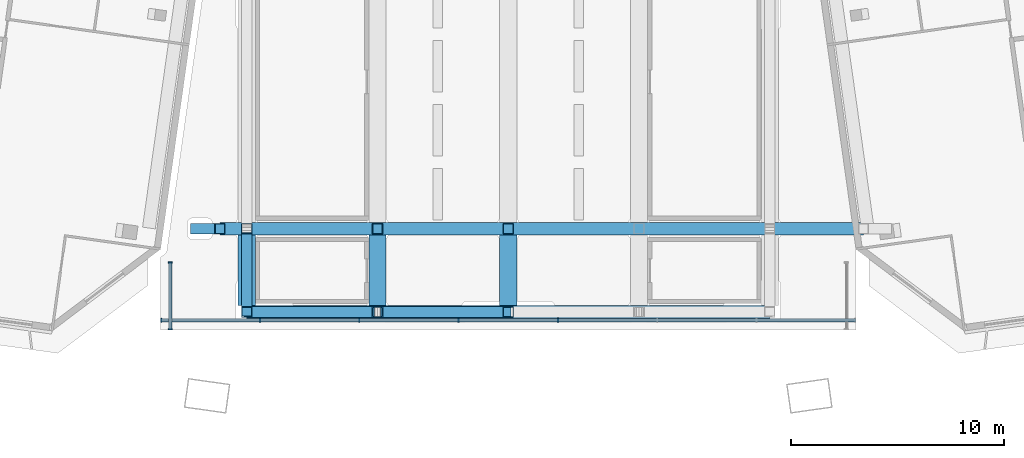
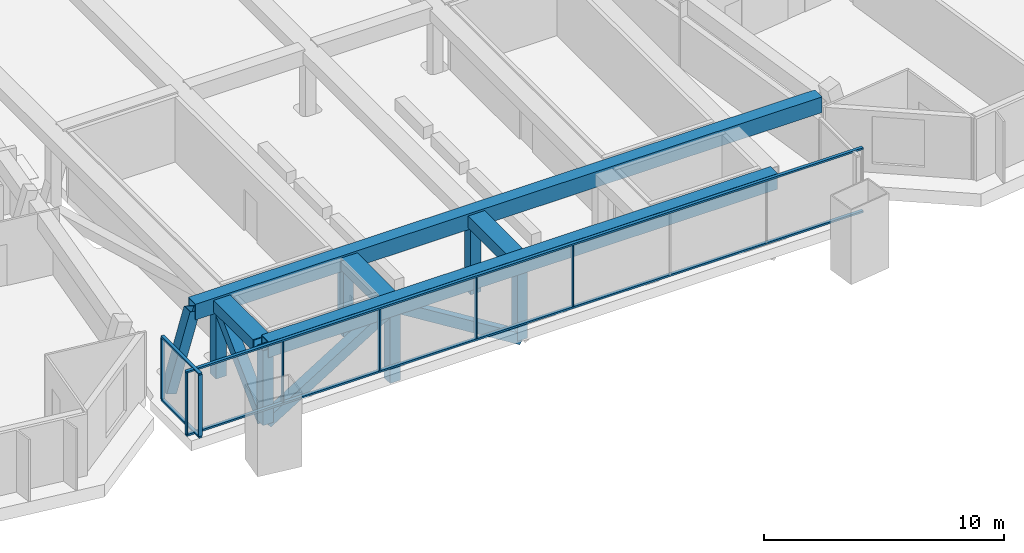
# One storey, part 3 of 25: 26 members, 2 elements without a shape of their own.
"""IFC4 building model written with IfcOpenShell, lengths in metres."""

import ifcopenshell
import ifcopenshell.guid

model = None  # the IFC model being written
_history = None  # IfcOwnerHistory: only IFC2X3 demands one
_inside = {}  # id of a spatial element -> (the spatial element, [elements in it])
_under = {}  # id of a project, library or spatial element -> (it, [spatial elements below it])
_declared = {}  # id of a project -> (the project, [libraries it declares])
_typed = {}  # id of a type object -> (the type object, [elements of that type])
_made_of = {}  # id of a material, layer set ... -> (it, [elements and type objects made of it])


def new_model(schema):
    """Start an empty IFC model of exactly this schema.

    Asked for "IFC4X3", IfcOpenShell would pick the latest addendum, in which some entities
    have other attributes; the version numbers below select the first issue.
    IFC2X3 requires an IfcOwnerHistory on every rooted entity: one is made here for all.
    """
    global model, _history
    if schema == "IFC4X3":
        model = ifcopenshell.file(schema_version=(4, 3, 0, 0))
    else:
        model = ifcopenshell.file(schema=schema)
    _inside.clear()
    _under.clear()
    _declared.clear()
    _typed.clear()
    _made_of.clear()
    _history = None
    if model.schema == "IFC2X3":
        org = make("IfcOrganization", Name="unknown")
        user = make(
            "IfcPersonAndOrganization",
            ThePerson=make("IfcPerson", FamilyName="unknown"),
            TheOrganization=org,
        )
        app = make(
            "IfcApplication",
            ApplicationDeveloper=org,
            Version="unknown",
            ApplicationFullName="unknown",
            ApplicationIdentifier="unknown",
        )
        _history = make(
            "IfcOwnerHistory",
            OwningUser=user,
            OwningApplication=app,
            ChangeAction="ADDED",
            CreationDate=0,
        )
    return model


def make(cls, **values):
    """One entity of the class cls with the attributes given. An attribute that is None is left unset."""
    return model.create_entity(
        cls, **{name: value for name, value in values.items() if value is not None}
    )


def rooted(cls, **values):
    """An entity with a GlobalId (a new one), such as an element, a storey or a relation."""
    return make(cls, GlobalId=ifcopenshell.guid.new(), OwnerHistory=_history, **values)


def si_unit(unit_type, name, prefix=None):
    """IfcSIUnit, for example si_unit("LENGTHUNIT", "METRE", prefix="MILLI")."""
    return make("IfcSIUnit", UnitType=unit_type, Prefix=prefix, Name=name)


def assignment(units):
    """IfcUnitAssignment: the units of a project."""
    return None if units is None else make("IfcUnitAssignment", Units=units)


def point(xyz):
    """IfcCartesianPoint."""
    return None if xyz is None else make("IfcCartesianPoint", Coordinates=xyz)


def direction(xyz):
    """IfcDirection."""
    return None if xyz is None else make("IfcDirection", DirectionRatios=xyz)


def frame(location, z_axis=None, x_axis=None):
    """IfcAxis2Placement3D, a coordinate frame: its origin and axes. An axis left out is left unset."""
    return make(
        "IfcAxis2Placement3D",
        Location=point(location),
        Axis=direction(z_axis),
        RefDirection=direction(x_axis),
    )


def frame_2d(location, x_axis=None):
    """IfcAxis2Placement2D, a coordinate frame in the plane: its origin and x axis."""
    return make(
        "IfcAxis2Placement2D", Location=point(location), RefDirection=direction(x_axis)
    )


def origin():
    """The frame at (0, 0, 0) with its axes left unset."""
    return frame((0.0, 0.0, 0.0))


def origin_2d():
    """The frame at (0, 0) in the plane with its x axis left unset."""
    return frame_2d((0.0, 0.0))


def place(relative_to, where):
    """IfcLocalPlacement: puts the frame where relative to a parent placement (None: the world)."""
    return make(
        "IfcLocalPlacement", PlacementRelTo=relative_to, RelativePlacement=where
    )


def context(
    kind, dimensions, precision=None, world=None, true_north=None, identifier=None
):
    """IfcGeometricRepresentationContext, for example the 3D "Model" context."""
    return make(
        "IfcGeometricRepresentationContext",
        ContextIdentifier=identifier,
        ContextType=kind,
        CoordinateSpaceDimension=dimensions,
        Precision=precision,
        WorldCoordinateSystem=world,
        TrueNorth=true_north,
    )


def subcontext(parent, identifier, kind, view, scale=None):
    """IfcGeometricRepresentationSubContext, for example "Body" below "Model"."""
    return make(
        "IfcGeometricRepresentationSubContext",
        ContextIdentifier=identifier,
        ContextType=kind,
        ParentContext=parent,
        TargetScale=scale,
        TargetView=view,
    )


def project(units=None, contexts=None):
    """IfcProject with its units and contexts."""
    return rooted(
        "IfcProject",
        Name="project",
        RepresentationContexts=contexts,
        UnitsInContext=assignment(units),
    )


def spatial(cls, under=None, at=None, **own):
    """A site, building, storey or space (cls), placed at a placement, below another one or the project."""
    s = rooted(cls, ObjectPlacement=at, **own)
    if under is not None:
        _under.setdefault(under.id(), (under, []))[1].append(s)
    return s


def profile(cls, at=None, kind="AREA", **sizes):
    """A parametric profile (cls). Its sizes go by their IFC names, for example OverallWidth=200.0."""
    return make(cls, ProfileType=kind, Position=at, **sizes)


def rectangle(**sizes):
    """IfcRectangleProfileDef."""
    return profile("IfcRectangleProfileDef", **sizes)


def hollow_rectangle(**sizes):
    """IfcRectangleHollowProfileDef."""
    return profile("IfcRectangleHollowProfileDef", **sizes)


def extrude(swept, where, along, depth):
    """IfcExtrudedAreaSolid: the profile swept, set in the frame where, extruded along a direction by depth."""
    return make(
        "IfcExtrudedAreaSolid",
        SweptArea=swept,
        Position=where,
        ExtrudedDirection=direction(along),
        Depth=depth,
    )


def shape(context_of_items, identifier, shape_type, items):
    """IfcShapeRepresentation: the items that make up one representation, for example the "Body"."""
    return make(
        "IfcShapeRepresentation",
        ContextOfItems=context_of_items,
        RepresentationIdentifier=identifier,
        RepresentationType=shape_type,
        Items=items,
    )


def material(Name=None, Category=None):
    """IfcMaterial."""
    return make("IfcMaterial", Name=Name, Category=Category)


def material_profile(
    of_material, cross_section, Name=None, Category=None, Priority=None
):
    """IfcMaterialProfile: a cross section and its material."""
    return make(
        "IfcMaterialProfile",
        Name=Name,
        Material=of_material,
        Profile=cross_section,
        Priority=Priority,
        Category=Category,
    )


def profile_set(profiles, Name=None, composite=None):
    """IfcMaterialProfileSet."""
    return make(
        "IfcMaterialProfileSet",
        Name=Name,
        MaterialProfiles=profiles,
        CompositeProfile=composite,
    )


def made_of(thing, what):
    """Note that an element or type object is made of a material, layer set ...; save() writes the relation."""
    if what is not None:
        _made_of.setdefault(what.id(), (what, []))[1].append(thing)
    return thing


def type_object(cls, material=None, **own):
    """A type object (cls), such as IfcWallType, which elements share."""
    return made_of(rooted(cls, **own), material)


def element(
    cls,
    number,
    at=None,
    inside=None,
    cuts=None,
    type_object=None,
    material=None,
    context=None,
    identifier="Body",
    shape_type=None,
    held_by="IfcProductDefinitionShape",
    body=None,
    shapes=None,
    **own,
):
    """One element of the class cls, such as IfcWall. Its Tag is "e" and its number.

    at: its placement. inside: the storey or other place that contains it. cuts: it is an
    opening in that element (IfcRelVoidsElement). A single representation is given by context,
    identifier, shape_type and body (its items); several are given by shapes. held_by: the class
    of the entity that holds the representations. save() writes the other relations.
    """
    e = rooted(cls, Tag="e%d" % number, ObjectPlacement=at, **own)
    if body is not None:
        shapes = [shape(context, identifier, shape_type, body)]
    if shapes is not None:
        e.Representation = make(held_by, Representations=shapes)
    if inside is not None:
        _inside.setdefault(inside.id(), (inside, []))[1].append(e)
    if cuts is not None:
        rooted(
            "IfcRelVoidsElement", RelatingBuildingElement=cuts, RelatedOpeningElement=e
        )
    if type_object is not None:
        _typed.setdefault(type_object.id(), (type_object, []))[1].append(e)
    return made_of(e, material)


def aggregate(whole, parts):
    """IfcRelAggregates: a whole, such as a stair, and the parts it consists of."""
    return rooted("IfcRelAggregates", RelatingObject=whole, RelatedObjects=parts)


def save(model, path):
    """Write the relations noted so far, then the file.

    IfcRelAggregates (storeys below a building ...), IfcRelContainedInSpatialStructure (elements
    in a storey), IfcRelDefinesByType, IfcRelAssociatesMaterial and IfcRelDeclares: one each for
    every whole, place, type object, material and project.
    """
    for whole, parts in _under.values():
        aggregate(whole, parts)
    for where, things in _inside.values():
        rooted(
            "IfcRelContainedInSpatialStructure",
            RelatedElements=things,
            RelatingStructure=where,
        )
    for kind, things in _typed.values():
        rooted("IfcRelDefinesByType", RelatedObjects=things, RelatingType=kind)
    for what, things in _made_of.values():
        rooted("IfcRelAssociatesMaterial", RelatedObjects=things, RelatingMaterial=what)
    for by, libraries in _declared.values():
        rooted("IfcRelDeclares", RelatingContext=by, RelatedDefinitions=libraries)
    model.write(path)


model = new_model("IFC4")

# Units and contexts
model_context = context("Model", 3, precision=1e-05, world=origin(), true_north=direction((0.0, 1.0)))
body_context = subcontext(model_context, "Body", "Model", "MODEL_VIEW")
ifc_project = project(units=[si_unit("LENGTHUNIT", "METRE"), si_unit("AREAUNIT", "SQUARE_METRE"), si_unit("VOLUMEUNIT", "CUBIC_METRE"), si_unit("PLANEANGLEUNIT", "RADIAN"), si_unit("MASSUNIT", "GRAM", prefix="KILO")], contexts=[model_context])

# Site, building, storey
site_placement = place(None, origin())
site = spatial("IfcSite", under=ifc_project, at=site_placement, CompositionType="ELEMENT")
building_placement = place(site_placement, origin())
building = spatial("IfcBuilding", under=site, at=building_placement, Name="Mirante Cascada Hotel Towers", CompositionType="ELEMENT")
storey_placement = place(building_placement, frame((0.0, 0.0, 266.0)))
storey = spatial("IfcBuildingStorey", under=building, at=storey_placement, Name="L64", CompositionType="ELEMENT", Elevation=266.0)

# Members
ifc_material_1 = material(Name="Steel ASTM A572 Gr 50", Category="steel")
ifc_material_profile_1 = material_profile(ifc_material_1, hollow_rectangle(XDim=0.6, YDim=0.8, WallThickness=0.04, at=origin_2d()), Name="Box chord 800x600x40 ASTM A572 Gr 50")
ifc_profile_set_1 = profile_set([ifc_material_profile_1], Name="Steel ASTM A572 Gr 50")
member_type_1 = type_object("IfcMemberType", Name="Box chord 800x600x40 ASTM A572 Gr 50", PredefinedType="CHORD", material=ifc_profile_set_1)
for number, where, z_axis, x_axis, name in (
    (1, (-12.2514, -21.2153, 2.9), (0.0, 1.0, 0.0), (0.0, 0.0, 1.0), "dchord sky park Roof garden 1"),
    (2, (-6.1257, -21.2153, 2.9), (0.0, 1.0, 0.0), (0.0, 0.0, 1.0), "dchord sky park Roof garden 5"),
    (3, (0.0, -21.2153, 2.9), (0.0, 1.0, 0.0), (0.0, 0.0, 1.0), "dchord sky park Roof garden 9"),
):
    element("IfcMember", number, at=place(storey_placement, frame(where, z_axis=z_axis, x_axis=x_axis)), inside=storey, type_object=member_type_1, Name=name, PredefinedType="CHORD", context=body_context, shape_type="SweptSolid", body=[
        extrude(hollow_rectangle(XDim=0.6, YDim=0.8, WallThickness=0.04, at=origin_2d()), origin(), (0.0, 0.0, 1.0), 3.3),
    ])
member_1_placement = place(storey_placement, frame((-13.5128, -17.6153, 2.9), z_axis=(1.0, 0.0, 0.0), x_axis=(0.0, 1.0, 0.0)))
element("IfcMember", 4, at=member_1_placement, inside=storey, type_object=member_type_1, Name="dchord sky park Roof garden 21", PredefinedType="CHORD", context=body_context, shape_type="SweptSolid", body=[
    extrude(hollow_rectangle(XDim=0.6, YDim=0.8, WallThickness=0.04, at=origin_2d()), origin(), (0.0, 0.0, 1.0), 30.15),
])
member_2_placement = place(storey_placement, frame((-12.2514, -21.5153, 2.9), z_axis=(1.0, 0.0, 0.0), x_axis=(0.0, 1.0, 0.0)))
element("IfcMember", 5, at=member_2_placement, inside=storey, type_object=member_type_1, Name="dchord sky park Roof garden 28", PredefinedType="CHORD", context=body_context, shape_type="SweptSolid", body=[
    extrude(hollow_rectangle(XDim=0.6, YDim=0.8, WallThickness=0.04, at=origin_2d()), origin(), (0.0, 0.0, 1.0), 24.5028),
])
ifc_material_2 = material(Name="Steel ASTM A572 Gr 50", Category="steel")
ifc_material_profile_2 = material_profile(ifc_material_2, hollow_rectangle(XDim=0.5, YDim=0.5, WallThickness=0.03, at=origin_2d()), Name="Box diagonal 500x500x30 ASTM A572 Gr 50")
ifc_profile_set_2 = profile_set([ifc_material_profile_2], Name="Steel ASTM A572 Gr 50")
member_type_2 = type_object("IfcMemberType", Name="Box diagonal 500x500x30 ASTM A572 Gr 50", PredefinedType="BRACE", material=ifc_profile_set_2)
member_3_placement = place(storey_placement, frame((-12.2514, -21.5153, -0.9), z_axis=(0.0, 0.7162296, 0.6978647), x_axis=(-1.0, 0.0, 0.0)))
element("IfcMember", 6, at=member_3_placement, inside=storey, type_object=member_type_2, Name="ddiag sky park L64 1", PredefinedType="BRACE", context=body_context, shape_type="SweptSolid", body=[
    extrude(hollow_rectangle(XDim=0.5, YDim=0.5, WallThickness=0.03, at=origin_2d()), origin(), (0.0, 0.0, 1.0), 5.4452),
])
for number, where, z_axis, x_axis, name in (
    (7, (-12.2514, -21.5153, -0.9), (0.8497743, 0.0, 0.5271467), (0.0, 1.0, 0.0), "ddiag sky park L64 15"),
    (8, (0.0, -21.5153, -0.9), (-0.8497743, 0.0, 0.5271467), (0.0, -1.0, 0.0), "ddiag sky park L64 16"),
):
    element("IfcMember", number, at=place(storey_placement, frame(where, z_axis=z_axis, x_axis=x_axis)), inside=storey, type_object=member_type_2, Name=name, PredefinedType="BRACE", context=body_context, shape_type="SweptSolid", body=[
        extrude(hollow_rectangle(XDim=0.5, YDim=0.5, WallThickness=0.03, at=origin_2d()), origin(), (0.0, 0.0, 1.0), 7.2086),
    ])
ifc_material_3 = material(Name="Steel ASTM A572 Gr 50", Category="steel")
ifc_material_profile_3 = material_profile(ifc_material_3, hollow_rectangle(XDim=0.5, YDim=0.5, WallThickness=0.03, at=origin_2d()), Name="Box post 500x500x30 ASTM A572 Gr 50")
ifc_profile_set_3 = profile_set([ifc_material_profile_3], Name="Steel ASTM A572 Gr 50")
member_type_3 = type_object("IfcMemberType", Name="Box post 500x500x30 ASTM A572 Gr 50", PredefinedType="POST", material=ifc_profile_set_3)
for number, where, z_axis, x_axis, name in (
    (9, (-12.2514, -21.5153, -0.9), (0.0, 0.0, 1.0), (1.0, 0.0, 0.0), "dpost sky park L64 1"),
    (10, (-12.2514, -17.6153, -0.9), (0.0, 0.0, 1.0), (1.0, 0.0, 0.0), "dpost sky park L64 2"),
    (11, (-6.1257, -21.5153, -0.9), (0.0, 0.0, 1.0), (1.0, 0.0, 0.0), "dpost sky park L64 8"),
    (12, (-6.1257, -17.6153, -0.9), (0.0, 0.0, 1.0), (1.0, 0.0, 0.0), "dpost sky park L64 9"),
    (13, (0.0, -21.5153, -0.9), (0.0, 0.0, 1.0), (1.0, 0.0, 0.0), "dpost sky park L64 15"),
    (14, (0.0, -17.6153, -0.9), (0.0, 0.0, 1.0), (1.0, 0.0, 0.0), "dpost sky park L64 16"),
):
    element("IfcMember", number, at=place(storey_placement, frame(where, z_axis=z_axis, x_axis=x_axis)), inside=storey, type_object=member_type_3, Name=name, PredefinedType="POST", context=body_context, shape_type="SweptSolid", body=[
        extrude(hollow_rectangle(XDim=0.5, YDim=0.5, WallThickness=0.03, at=origin_2d()), origin(), (0.0, 0.0, 1.0), 3.8),
    ])
member_4_placement = place(storey_placement, frame((-14.6385, -17.6153, -0.9), z_axis=(0.2840359, 0.0, 0.9588136), x_axis=(0.0, 1.0, 0.0)))
element("IfcMember", 15, at=member_4_placement, inside=storey, type_object=member_type_3, Name="dpost sky park L64 36", PredefinedType="POST", context=body_context, shape_type="SweptSolid", body=[
    extrude(hollow_rectangle(XDim=0.5, YDim=0.5, WallThickness=0.03, at=origin_2d()), origin(), (0.0, 0.0, 1.0), 3.9632),
])

# Curtain wall, members
ifc_material_4 = material(Name="Aluminium mullion and transom frame with clear laminated glass", Category="aluminium")
curtain_wall_type = type_object("IfcCurtainWallType", Name="Sky park deck curtain wall ECW5", PredefinedType="NOTDEFINED", material=ifc_material_4)
curtain_wall_1_placement = place(storey_placement, origin())
curtain_wall_1 = element("IfcCurtainWall", 16, at=curtain_wall_1_placement, inside=storey, type_object=curtain_wall_type, Name="Sky park glazing L64 run 1", PredefinedType="NOTDEFINED")
ifc_material_5 = material(Name="Anodised aluminium extrusion", Category="aluminium")
ifc_material_profile_4 = material_profile(ifc_material_5, rectangle(XDim=0.18, YDim=0.06, at=origin_2d()), Name="ECW5 MULLION 60x180")
ifc_profile_set_4 = profile_set([ifc_material_profile_4], Name="Anodised aluminium extrusion")
member_type_4 = type_object("IfcMemberType", Name="ECW5 mullion 60x180", PredefinedType="MULLION", material=ifc_profile_set_4)
member_5_placement = place(storey_placement, frame((-16.2574, -21.9019, 0.09), z_axis=(0.0, 0.0, 1.0), x_axis=(0.0, 1.0, 0.0)))
member_5 = element("IfcMember", 17, at=member_5_placement, type_object=member_type_4, Name="ECW5 mullion 1", PredefinedType="MULLION", context=body_context, shape_type="SweptSolid", body=[
    extrude(rectangle(XDim=0.18, YDim=0.06, at=origin_2d()), origin(), (0.0, 0.0, 1.0), 3.12),
])
member_6_placement = place(storey_placement, frame((-11.6338, -21.9019, 0.09), z_axis=(0.0, 0.0, 1.0), x_axis=(0.0, 1.0, 0.0)))
member_6 = element("IfcMember", 18, at=member_6_placement, type_object=member_type_4, Name="ECW5 mullion 2", PredefinedType="MULLION", context=body_context, shape_type="SweptSolid", body=[
    extrude(rectangle(XDim=0.18, YDim=0.06, at=origin_2d()), origin(), (0.0, 0.0, 1.0), 3.12),
])
member_7_placement = place(storey_placement, frame((-6.9803, -21.9019, 0.09), z_axis=(0.0, 0.0, 1.0), x_axis=(0.0, 1.0, 0.0)))
member_7 = element("IfcMember", 19, at=member_7_placement, type_object=member_type_4, Name="ECW5 mullion 3", PredefinedType="MULLION", context=body_context, shape_type="SweptSolid", body=[
    extrude(rectangle(XDim=0.18, YDim=0.06, at=origin_2d()), origin(), (0.0, 0.0, 1.0), 3.12),
])
member_8_placement = place(storey_placement, frame((-2.3268, -21.9019, 0.09), z_axis=(0.0, 0.0, 1.0), x_axis=(0.0, 1.0, 0.0)))
member_8 = element("IfcMember", 20, at=member_8_placement, type_object=member_type_4, Name="ECW5 mullion 4", PredefinedType="MULLION", context=body_context, shape_type="SweptSolid", body=[
    extrude(rectangle(XDim=0.18, YDim=0.06, at=origin_2d()), origin(), (0.0, 0.0, 1.0), 3.12),
])
member_9_placement = place(storey_placement, frame((2.3268, -21.9019, 0.09), z_axis=(0.0, 0.0, 1.0), x_axis=(0.0, 1.0, 0.0)))
member_9 = element("IfcMember", 21, at=member_9_placement, type_object=member_type_4, Name="ECW5 mullion 5", PredefinedType="MULLION", context=body_context, shape_type="SweptSolid", body=[
    extrude(rectangle(XDim=0.18, YDim=0.06, at=origin_2d()), origin(), (0.0, 0.0, 1.0), 3.12),
])

curtain_wall_2_placement = place(storey_placement, origin())
curtain_wall_2 = element("IfcCurtainWall", 22, at=curtain_wall_2_placement, inside=storey, type_object=curtain_wall_type, Name="Sky park glazing L64 run 6", PredefinedType="NOTDEFINED")
member_10_placement = place(storey_placement, frame((-15.8374, -19.1997, 0.09), z_axis=(0.0, 0.0, 1.0), x_axis=(1.0, 0.0, 0.0)))
member_10 = element("IfcMember", 23, at=member_10_placement, type_object=member_type_4, Name="ECW5 mullion 1", PredefinedType="MULLION", context=body_context, shape_type="SweptSolid", body=[
    extrude(rectangle(XDim=0.18, YDim=0.06, at=origin_2d()), origin(), (0.0, 0.0, 1.0), 3.12),
])
member_11_placement = place(storey_placement, frame((-15.8374, -22.3219, 0.09), z_axis=(0.0, 0.0, 1.0), x_axis=(1.0, 0.0, 0.0)))
member_11 = element("IfcMember", 24, at=member_11_placement, type_object=member_type_4, Name="ECW5 mullion 2", PredefinedType="MULLION", context=body_context, shape_type="SweptSolid", body=[
    extrude(rectangle(XDim=0.18, YDim=0.06, at=origin_2d()), origin(), (0.0, 0.0, 1.0), 3.12),
])

# Member
ifc_material_6 = material(Name="Anodised aluminium extrusion", Category="aluminium")
ifc_material_profile_5 = material_profile(ifc_material_6, rectangle(XDim=0.15, YDim=0.09, at=origin_2d()), Name="ECW5 TRANSOM 90x150")
ifc_profile_set_5 = profile_set([ifc_material_profile_5], Name="Anodised aluminium extrusion")
member_type_5 = type_object("IfcMemberType", Name="ECW5 transom 90x150", PredefinedType="USERDEFINED", material=ifc_profile_set_5)
member_12_placement = place(storey_placement, frame((-16.2874, -21.9019, 0.045), z_axis=(1.0, 0.0, 0.0), x_axis=(0.0, 1.0, 0.0)))
member_12 = element("IfcMember", 25, at=member_12_placement, type_object=member_type_5, Name="ECW5 sill transom", ObjectType="TRANSOM", PredefinedType="USERDEFINED", context=body_context, shape_type="SweptSolid", body=[
    extrude(rectangle(XDim=0.15, YDim=0.09, at=origin_2d()), origin(), (0.0, 0.0, 1.0), 32.5748),
])

member_13_placement = place(storey_placement, frame((-16.2874, -21.9019, 3.255), z_axis=(1.0, 0.0, 0.0), x_axis=(0.0, 1.0, 0.0)))
member_13 = element("IfcMember", 26, at=member_13_placement, type_object=member_type_5, Name="ECW5 head transom", ObjectType="TRANSOM", PredefinedType="USERDEFINED", context=body_context, shape_type="SweptSolid", body=[
    extrude(rectangle(XDim=0.15, YDim=0.09, at=origin_2d()), origin(), (0.0, 0.0, 1.0), 32.5748),
])

aggregate(curtain_wall_1, [member_12, member_13, member_5, member_6, member_7, member_8, member_9])

member_14_placement = place(storey_placement, frame((-15.8374, -19.1697, 0.045), z_axis=(0.0, -1.0, 0.0), x_axis=(1.0, 0.0, 0.0)))
member_14 = element("IfcMember", 27, at=member_14_placement, type_object=member_type_5, Name="ECW5 sill transom", ObjectType="TRANSOM", PredefinedType="USERDEFINED", context=body_context, shape_type="SweptSolid", body=[
    extrude(rectangle(XDim=0.15, YDim=0.09, at=origin_2d()), origin(), (0.0, 0.0, 1.0), 3.1822),
])

member_15_placement = place(storey_placement, frame((-15.8374, -19.1697, 3.255), z_axis=(0.0, -1.0, 0.0), x_axis=(1.0, 0.0, 0.0)))
member_15 = element("IfcMember", 28, at=member_15_placement, type_object=member_type_5, Name="ECW5 head transom", ObjectType="TRANSOM", PredefinedType="USERDEFINED", context=body_context, shape_type="SweptSolid", body=[
    extrude(rectangle(XDim=0.15, YDim=0.09, at=origin_2d()), origin(), (0.0, 0.0, 1.0), 3.1822),
])

aggregate(curtain_wall_2, [member_14, member_15, member_10, member_11])

save(model, "model.ifc")
